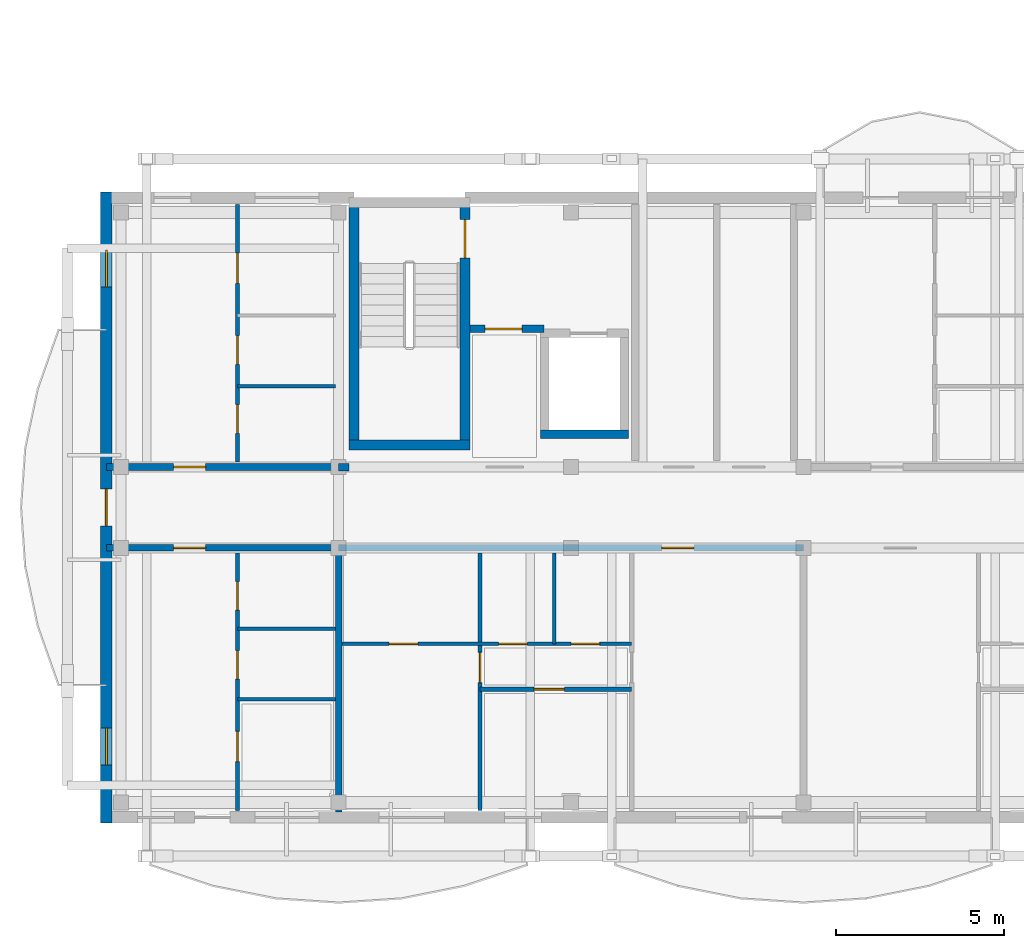
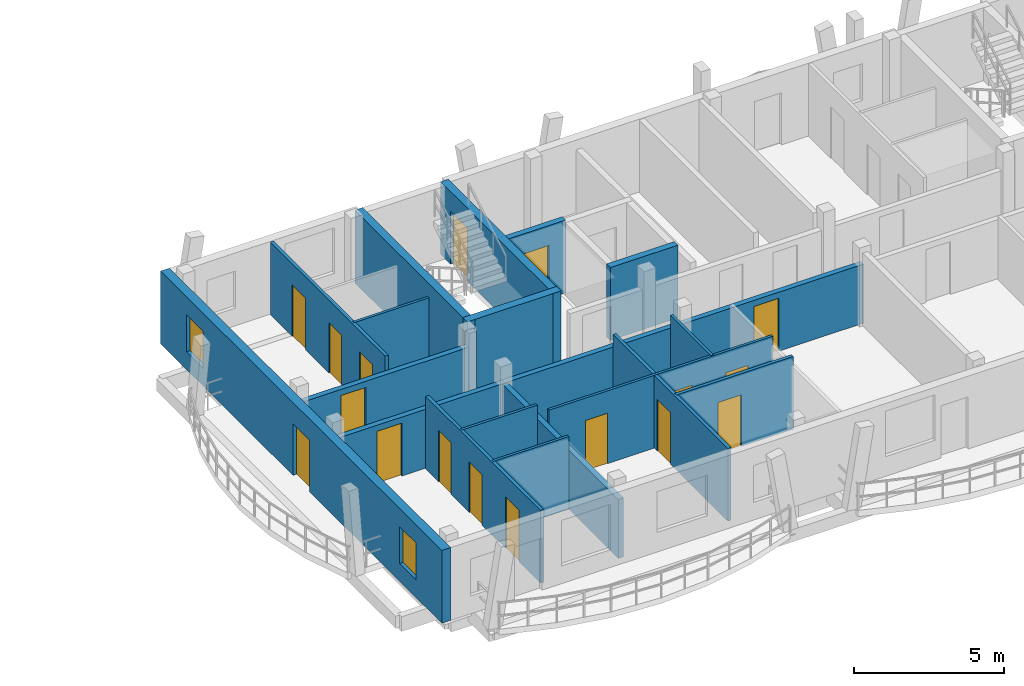
# One storey, part 10 of 29: 20 walls, 17 doors, 2 windows, 19 openings.
"""IFC4 building model written with IfcOpenShell, lengths in metres."""

from ifc_helpers import new_model, si_unit, direction, frame, frame_2d, origin, origin_with_axes, place, context, subcontext, project, spatial, rectangle, extrude, material, layer, layer_set, type_object, element, fill, save


model = new_model("IFC4")

# Units and contexts
model_context = context("Model", 3, precision=1e-05, world=origin(), true_north=direction((0.0, 1.0)))
body_context = subcontext(model_context, "Body", "Model", "MODEL_VIEW")
ifc_project = project(units=[si_unit("LENGTHUNIT", "METRE"), si_unit("AREAUNIT", "SQUARE_METRE"), si_unit("VOLUMEUNIT", "CUBIC_METRE"), si_unit("PLANEANGLEUNIT", "RADIAN"), si_unit("MASSUNIT", "GRAM", prefix="KILO")], contexts=[model_context])

# Site, building, storey
site_placement = place(None, origin())
site = spatial("IfcSite", under=ifc_project, at=site_placement, CompositionType="ELEMENT")
building_placement = place(site_placement, origin())
building = spatial("IfcBuilding", under=site, at=building_placement, Name="Zavelmont Quarter", CompositionType="ELEMENT")
storey_placement = place(building_placement, frame((0.0, 0.0, 33.60009765625)))
storey = spatial("IfcBuildingStorey", under=building, at=storey_placement, Name="L10", CompositionType="ELEMENT", Elevation=33.60009765625)

# Wall, openings, door, windows
ifc_material_1 = material(Name="Natural Belgian limestone", Category="masonry")
ifc_layer_1 = layer(ifc_material_1, 0.340087890625)
ifc_layer_set_1 = layer_set([ifc_layer_1], Name="Natural Belgian limestone")
wall_type_1 = type_object("IfcWallType", Name="EW03", PredefinedType="STANDARD", material=ifc_layer_set_1)
wall_1_placement = place(storey_placement, frame((0.0, -0.169921875, 0.0), z_axis=(0.0, 0.0, 1.0), x_axis=(0.0, 1.0, 0.0)))
wall_1 = element("IfcWall", 1, at=wall_1_placement, inside=storey, type_object=wall_type_1, Name="L10 exterior limestone wall EW03", PredefinedType="STANDARD", context=body_context, shape_type="SweptSolid", body=[
    extrude(rectangle(XDim=18.739990234375, YDim=0.340087890625, at=frame_2d((9.3701171875, 0.0))), origin(), (0.0, 0.0, 1.0), 2.9599609375),
])
opening_1_placement = place(wall_1_placement, frame((8.820068359375, 0.0, 0.0)))
opening_1 = element("IfcOpeningElement", 2, at=opening_1_placement, cuts=wall_1, Name="Opening DR04B", PredefinedType="OPENING", context=body_context, shape_type="SweptSolid", body=[
    extrude(rectangle(XDim=1.10009765625, YDim=2.10009765625, at=frame_2d((0.550048828125, 1.050048828125))), frame((0.0, 0.18212890625, 0.0), z_axis=(0.0, -1.0, 0.0), x_axis=(1.0, 0.0, 0.0)), (0.0, 0.0, 1.0), 0.364013671875),
])
opening_2_placement = place(wall_1_placement, frame((1.719970703125, 0.0, 0.719970703125)))
opening_2 = element("IfcOpeningElement", 3, at=opening_2_placement, cuts=wall_1, Name="Opening WN09", PredefinedType="OPENING", context=body_context, shape_type="SweptSolid", body=[
    extrude(rectangle(XDim=1.10009765625, YDim=1.5, at=frame_2d((0.550048828125, 0.75))), frame((0.0, 0.18212890625, 0.0), z_axis=(0.0, -1.0, 0.0), x_axis=(1.0, 0.0, 0.0)), (0.0, 0.0, 1.0), 0.364013671875),
])
opening_3_placement = place(wall_1_placement, frame((15.919921875, 0.0, 0.719970703125)))
opening_3 = element("IfcOpeningElement", 4, at=opening_3_placement, cuts=wall_1, Name="Opening WN09", PredefinedType="OPENING", context=body_context, shape_type="SweptSolid", body=[
    extrude(rectangle(XDim=1.10009765625, YDim=1.5, at=frame_2d((0.550048828125, 0.75))), frame((0.0, 0.18212890625, 0.0), z_axis=(0.0, -1.0, 0.0), x_axis=(1.0, 0.0, 0.0)), (0.0, 0.0, 1.0), 0.364013671875),
])
ifc_material_2 = material(Name="Thermally broken aluminium and double safety glass", Category="aluminium")
door_type_1 = type_object("IfcDoorType", Name="DR04B", OperationType="NOTDEFINED", PredefinedType="DOOR", material=ifc_material_2)
door_1_placement = place(opening_1_placement, frame((1.10009765625, 0.0, 0.0), z_axis=(0.0, 0.0, 1.0), x_axis=(-1.0, 0.0, 0.0)))
door_1 = element("IfcDoor", 5, at=door_1_placement, inside=storey, type_object=door_type_1, Name="Block A L10 terrace or vase balcony door", OperationType="SINGLE_SWING_RIGHT", OverallHeight=2.10009765625, OverallWidth=1.10009765625, PredefinedType="DOOR", context=body_context, shape_type="SweptSolid", body=[
    extrude(rectangle(XDim=1.10009765625, YDim=2.10009765625, at=frame_2d((0.550048828125, 1.050048828125))), frame((0.0, 0.02490234375, 0.0), z_axis=(0.0, -1.0, 0.0), x_axis=(1.0, 0.0, 0.0)), (0.0, 0.0, 1.0), 0.050048828125),
])
fill(opening_1, door_1)
ifc_material_3 = material(Name="Double low-E insulated glazing in thermally broken aluminium frame", Category="aluminium")
window_type = type_object("IfcWindowType", Name="WN09", PartitioningType="SINGLE_PANEL", PredefinedType="WINDOW", material=ifc_material_3)
window_1_placement = place(opening_2_placement, origin_with_axes())
window_1 = element("IfcWindow", 6, at=window_1_placement, inside=storey, type_object=window_type, Name="L10 window WN09", OverallHeight=1.5, OverallWidth=1.10009765625, PartitioningType="SINGLE_PANEL", PredefinedType="WINDOW", context=body_context, shape_type="SweptSolid", body=[
    extrude(rectangle(XDim=1.10009765625, YDim=1.5, at=frame_2d((0.550048828125, 0.75))), frame((0.0, 0.030029296875, 0.0), z_axis=(0.0, -1.0, 0.0), x_axis=(1.0, 0.0, 0.0)), (0.0, 0.0, 1.0), 0.06005859375),
])
fill(opening_2, window_1)
window_2_placement = place(opening_3_placement, origin_with_axes())
window_2 = element("IfcWindow", 7, at=window_2_placement, inside=storey, type_object=window_type, Name="L10 window WN09", OverallHeight=1.5, OverallWidth=1.10009765625, PartitioningType="SINGLE_PANEL", PredefinedType="WINDOW", context=body_context, shape_type="SweptSolid", body=[
    extrude(rectangle(XDim=1.10009765625, YDim=1.5, at=frame_2d((0.550048828125, 0.75))), frame((0.0, 0.030029296875, 0.0), z_axis=(0.0, -1.0, 0.0), x_axis=(1.0, 0.0, 0.0)), (0.0, 0.0, 1.0), 0.06005859375),
])
fill(opening_3, window_2)

# Wall
ifc_material_4 = material(Name="Calcium-silicate blockwork and acoustic plaster", Category="masonry")
ifc_layer_2 = layer(ifc_material_4, 0.199951171875)
ifc_layer_set_2 = layer_set([ifc_layer_2], Name="Calcium-silicate blockwork and acoustic plaster")
wall_type_2 = type_object("IfcWallType", Name="IW01", PredefinedType="PARTITIONING", material=ifc_layer_set_2)
wall_2_placement = place(storey_placement, frame((6.89990234375, 7.85009765625, 0.0), z_axis=(0.0, 0.0, 1.0), x_axis=(0.0, -1.0, 0.0)))
element("IfcWall", 8, at=wall_2_placement, inside=storey, type_object=wall_type_2, Name="L10 Inter-dwelling compartment wall IW01", PredefinedType="PARTITIONING", context=body_context, shape_type="SweptSolid", body=[
    extrude(rectangle(XDim=7.7001953125, YDim=0.199951171875, at=frame_2d((3.85009765625, 0.0))), origin(), (0.0, 0.0, 1.0), 2.39990234375),
])

# Wall, opening, door
wall_3_placement = place(storey_placement, frame((0.0, 8.0, 0.0), z_axis=(0.0, 0.0, 1.0), x_axis=(1.0, 0.0, 0.0)))
wall_3 = element("IfcWall", 9, at=wall_3_placement, inside=storey, type_object=wall_type_2, Name="L10 Corridor compartment wall IW01", PredefinedType="PARTITIONING", context=body_context, shape_type="SweptSolid", body=[
    extrude(rectangle(XDim=6.89990234375, YDim=0.199951171875, at=frame_2d((3.449951171875, 0.0))), origin(), (0.0, 0.0, 1.0), 2.39990234375),
])
opening_4_placement = place(wall_3_placement, frame((2.0, 0.0, 0.0)))
opening_4 = element("IfcOpeningElement", 10, at=opening_4_placement, cuts=wall_3, Name="Opening DR02", PredefinedType="OPENING", context=body_context, shape_type="SweptSolid", body=[
    extrude(rectangle(XDim=0.949951171875, YDim=2.14990234375, at=frame_2d((0.47509765625, 1.074951171875))), frame((0.0, 0.11181640625, 0.0), z_axis=(0.0, -1.0, 0.0), x_axis=(1.0, 0.0, 0.0)), (0.0, 0.0, 1.0), 0.223876953125),
])
ifc_material_5 = material(Name="Solid-core oak fire leaf in steel frame", Category="steel")
door_type_2 = type_object("IfcDoorType", Name="DR02", OperationType="NOTDEFINED", PredefinedType="DOOR", material=ifc_material_5)
door_2_placement = place(opening_4_placement, frame((0.949951171875, 0.0, 0.0), z_axis=(0.0, 0.0, 1.0), x_axis=(-1.0, 0.0, 0.0)))
door_2 = element("IfcDoor", 11, at=door_2_placement, inside=storey, type_object=door_type_2, Name="L10 door DR02", OperationType="SINGLE_SWING_RIGHT", OverallHeight=2.14990234375, OverallWidth=0.949951171875, PredefinedType="DOOR", context=body_context, shape_type="SweptSolid", body=[
    extrude(rectangle(XDim=0.949951171875, YDim=2.14990234375, at=frame_2d((0.47509765625, 1.074951171875))), frame((0.0, 0.02490234375, 0.0), z_axis=(0.0, -1.0, 0.0), x_axis=(1.0, 0.0, 0.0)), (0.0, 0.0, 1.0), 0.050048828125),
])
fill(opening_4, door_2)

wall_4_placement = place(storey_placement, frame((6.89990234375, 8.0, 0.0), z_axis=(0.0, 0.0, 1.0), x_axis=(1.0, 0.0, 0.0)))
wall_4 = element("IfcWall", 12, at=wall_4_placement, inside=storey, type_object=wall_type_2, Name="L10 Corridor compartment wall IW01", PredefinedType="PARTITIONING", context=body_context, shape_type="SweptSolid", body=[
    extrude(rectangle(XDim=13.800048828125, YDim=0.199951171875, at=frame_2d((6.89990234375, 0.0))), origin(), (0.0, 0.0, 1.0), 2.39990234375),
])
opening_5_placement = place(wall_4_placement, frame((9.60009765625, 0.0, 0.0)))
opening_5 = element("IfcOpeningElement", 13, at=opening_5_placement, cuts=wall_4, Name="Opening DR02", PredefinedType="OPENING", context=body_context, shape_type="SweptSolid", body=[
    extrude(rectangle(XDim=0.949951171875, YDim=2.14990234375, at=frame_2d((0.47509765625, 1.074951171875))), frame((0.0, 0.11181640625, 0.0), z_axis=(0.0, -1.0, 0.0), x_axis=(1.0, 0.0, 0.0)), (0.0, 0.0, 1.0), 0.223876953125),
])
door_3_placement = place(opening_5_placement, frame((0.949951171875, 0.0, 0.0), z_axis=(0.0, 0.0, 1.0), x_axis=(-1.0, 0.0, 0.0)))
door_3 = element("IfcDoor", 14, at=door_3_placement, inside=storey, type_object=door_type_2, Name="L10 door DR02", OperationType="SINGLE_SWING_LEFT", OverallHeight=2.14990234375, OverallWidth=0.949951171875, PredefinedType="DOOR", context=body_context, shape_type="SweptSolid", body=[
    extrude(rectangle(XDim=0.949951171875, YDim=2.14990234375, at=frame_2d((0.47509765625, 1.074951171875))), frame((0.0, 0.02490234375, 0.0), z_axis=(0.0, -1.0, 0.0), x_axis=(1.0, 0.0, 0.0)), (0.0, 0.0, 1.0), 0.050048828125),
])
fill(opening_5, door_3)

wall_5_placement = place(storey_placement, frame((0.0, 10.39990234375, 0.0), z_axis=(0.0, 0.0, 1.0), x_axis=(1.0, 0.0, 0.0)))
wall_5 = element("IfcWall", 15, at=wall_5_placement, inside=storey, type_object=wall_type_2, Name="L10 Corridor compartment wall IW01", PredefinedType="PARTITIONING", context=body_context, shape_type="SweptSolid", body=[
    extrude(rectangle(XDim=6.89990234375, YDim=0.199951171875, at=frame_2d((3.449951171875, 0.0))), origin(), (0.0, 0.0, 1.0), 2.39990234375),
])
opening_6_placement = place(wall_5_placement, frame((2.0, 0.0, 0.0)))
opening_6 = element("IfcOpeningElement", 16, at=opening_6_placement, cuts=wall_5, Name="Opening DR02", PredefinedType="OPENING", context=body_context, shape_type="SweptSolid", body=[
    extrude(rectangle(XDim=0.949951171875, YDim=2.14990234375, at=frame_2d((0.47509765625, 1.074951171875))), frame((0.0, 0.11181640625, 0.0), z_axis=(0.0, -1.0, 0.0), x_axis=(1.0, 0.0, 0.0)), (0.0, 0.0, 1.0), 0.223876953125),
])
door_4_placement = place(opening_6_placement, origin_with_axes())
door_4 = element("IfcDoor", 17, at=door_4_placement, inside=storey, type_object=door_type_2, Name="L10 door DR02", OperationType="SINGLE_SWING_RIGHT", OverallHeight=2.14990234375, OverallWidth=0.949951171875, PredefinedType="DOOR", context=body_context, shape_type="SweptSolid", body=[
    extrude(rectangle(XDim=0.949951171875, YDim=2.14990234375, at=frame_2d((0.47509765625, 1.074951171875))), frame((0.0, 0.02490234375, 0.0), z_axis=(0.0, -1.0, 0.0), x_axis=(1.0, 0.0, 0.0)), (0.0, 0.0, 1.0), 0.050048828125),
])
fill(opening_6, door_4)

ifc_material_6 = material(Name="Reinforced masonry fire compartment wall", Category="masonry")
ifc_layer_3 = layer(ifc_material_6, 0.22509765625)
ifc_layer_set_3 = layer_set([ifc_layer_3], Name="Reinforced masonry fire compartment wall")
wall_type_3 = type_object("IfcWallType", Name="IW02", PredefinedType="PARTITIONING", material=ifc_layer_set_3)
wall_6_placement = place(storey_placement, frame((10.800048828125, 14.5, 0.0), z_axis=(0.0, 0.0, 1.0), x_axis=(1.0, 0.0, 0.0)))
wall_6 = element("IfcWall", 18, at=wall_6_placement, inside=storey, type_object=wall_type_3, Name="L10 Firefighting lobby threshold wall IW02", PredefinedType="PARTITIONING", context=body_context, shape_type="SweptSolid", body=[
    extrude(rectangle(XDim=2.199951171875, YDim=0.22509765625, at=frame_2d((1.10009765625, 0.0))), origin(), (0.0, 0.0, 1.0), 2.9599609375),
])
opening_7_placement = place(wall_6_placement, frame((0.449951171875, 0.0, 0.0)))
opening_7 = element("IfcOpeningElement", 19, at=opening_7_placement, cuts=wall_6, Name="Opening DR10", PredefinedType="OPENING", context=body_context, shape_type="SweptSolid", body=[
    extrude(rectangle(XDim=1.10009765625, YDim=2.14990234375, at=frame_2d((0.550048828125, 1.074951171875))), frame((0.0, 0.12451171875, 0.0), z_axis=(0.0, -1.0, 0.0), x_axis=(1.0, 0.0, 0.0)), (0.0, 0.0, 1.0), 0.2490234375),
])
ifc_material_7 = material(Name="Painted steel lobby fire door", Category="steel")
door_type_3 = type_object("IfcDoorType", Name="DR10", OperationType="NOTDEFINED", PredefinedType="DOOR", material=ifc_material_7)
door_5_placement = place(opening_7_placement, origin_with_axes())
door_5 = element("IfcDoor", 20, at=door_5_placement, inside=storey, type_object=door_type_3, Name="Firefighting lobby fire door", OperationType="SINGLE_SWING_RIGHT", OverallHeight=2.14990234375, OverallWidth=1.10009765625, PredefinedType="DOOR", context=body_context, shape_type="SweptSolid", body=[
    extrude(rectangle(XDim=1.10009765625, YDim=2.14990234375, at=frame_2d((0.550048828125, 1.074951171875))), frame((0.0, 0.02490234375, 0.0), z_axis=(0.0, -1.0, 0.0), x_axis=(1.0, 0.0, 0.0)), (0.0, 0.0, 1.0), 0.050048828125),
])
fill(opening_7, door_5)

# Wall
wall_7_placement = place(storey_placement, frame((6.89990234375, 10.39990234375, 0.0), z_axis=(0.0, 0.0, 1.0), x_axis=(1.0, 0.0, 0.0)))
element("IfcWall", 21, at=wall_7_placement, inside=storey, type_object=wall_type_3, Name="L10 Core corridor wall IW02", PredefinedType="PARTITIONING", context=body_context, shape_type="SweptSolid", body=[
    extrude(rectangle(XDim=0.300048828125, YDim=0.22509765625, at=frame_2d((0.14990234375, 0.0))), origin(), (0.0, 0.0, 1.0), 2.9599609375),
])

# Wall, openings, doors
ifc_material_8 = material(Name="Double gypsum board on acoustic steel stud", Category="steel")
ifc_layer_4 = layer(ifc_material_8, 0.125)
ifc_layer_set_4 = layer_set([ifc_layer_4], Name="Double gypsum board on acoustic steel stud")
wall_type_4 = type_object("IfcWallType", Name="IW03", PredefinedType="PARTITIONING", material=ifc_layer_set_4)
wall_8_placement = place(storey_placement, frame((3.89990234375, 7.85009765625, 0.0), z_axis=(0.0, 0.0, 1.0), x_axis=(0.0, -1.0, 0.0)))
wall_8 = element("IfcWall", 22, at=wall_8_placement, inside=storey, type_object=wall_type_4, Name="L10 Partition IW03", PredefinedType="PARTITIONING", context=body_context, shape_type="SweptSolid", body=[
    extrude(rectangle(XDim=7.650146484375, YDim=0.125, at=frame_2d((3.8251953125, 0.0))), origin(), (0.0, 0.0, 1.0), 2.9599609375),
])
opening_8_placement = place(wall_8_placement, frame((0.85009765625, 0.0, 0.0)))
opening_8 = element("IfcOpeningElement", 23, at=opening_8_placement, cuts=wall_8, Name="Opening DR16", PredefinedType="OPENING", context=body_context, shape_type="SweptSolid", body=[
    extrude(rectangle(XDim=0.85009765625, YDim=2.10009765625, at=frame_2d((0.425048828125, 1.050048828125))), frame((0.0, 0.074462890625, 0.0), z_axis=(0.0, -1.0, 0.0), x_axis=(1.0, 0.0, 0.0)), (0.0, 0.0, 1.0), 0.14892578125),
])
opening_9_placement = place(wall_8_placement, frame((2.89990234375, 0.0, 0.0)))
opening_9 = element("IfcOpeningElement", 24, at=opening_9_placement, cuts=wall_8, Name="Opening DR06", PredefinedType="OPENING", context=body_context, shape_type="SweptSolid", body=[
    extrude(rectangle(XDim=0.85009765625, YDim=2.050048828125, at=frame_2d((0.425048828125, 1.02490234375))), frame((0.0, 0.074462890625, 0.0), z_axis=(0.0, -1.0, 0.0), x_axis=(1.0, 0.0, 0.0)), (0.0, 0.0, 1.0), 0.14892578125),
])
opening_10_placement = place(wall_8_placement, frame((5.300048828125, 0.0, 0.0)))
opening_10 = element("IfcOpeningElement", 25, at=opening_10_placement, cuts=wall_8, Name="Opening DR05", PredefinedType="OPENING", context=body_context, shape_type="SweptSolid", body=[
    extrude(rectangle(XDim=0.89990234375, YDim=2.10009765625, at=frame_2d((0.449951171875, 1.050048828125))), frame((0.0, 0.074462890625, 0.0), z_axis=(0.0, -1.0, 0.0), x_axis=(1.0, 0.0, 0.0)), (0.0, 0.0, 1.0), 0.14892578125),
])
ifc_material_9 = material(Name="Engineered oak flush interior door")
door_type_4 = type_object("IfcDoorType", Name="DR05", OperationType="NOTDEFINED", PredefinedType="DOOR", material=ifc_material_9)
door_6_placement = place(opening_10_placement, origin_with_axes())
door_6 = element("IfcDoor", 26, at=door_6_placement, inside=storey, type_object=door_type_4, Name="L10 door DR05", OperationType="SINGLE_SWING_RIGHT", OverallHeight=2.10009765625, OverallWidth=0.89990234375, PredefinedType="DOOR", context=body_context, shape_type="SweptSolid", body=[
    extrude(rectangle(XDim=0.89990234375, YDim=2.10009765625, at=frame_2d((0.449951171875, 1.050048828125))), frame((0.0, 0.02490234375, 0.0), z_axis=(0.0, -1.0, 0.0), x_axis=(1.0, 0.0, 0.0)), (0.0, 0.0, 1.0), 0.050048828125),
])
fill(opening_10, door_6)
ifc_material_10 = material(Name="Moisture-resistant painted wet-room door")
door_type_5 = type_object("IfcDoorType", Name="DR06", OperationType="NOTDEFINED", PredefinedType="DOOR", material=ifc_material_10)
door_7_placement = place(opening_9_placement, frame((0.85009765625, 0.0, 0.0), z_axis=(0.0, 0.0, 1.0), x_axis=(-1.0, 0.0, 0.0)))
door_7 = element("IfcDoor", 27, at=door_7_placement, inside=storey, type_object=door_type_5, Name="L10 door DR06", OperationType="SINGLE_SWING_LEFT", OverallHeight=2.050048828125, OverallWidth=0.85009765625, PredefinedType="DOOR", context=body_context, shape_type="SweptSolid", body=[
    extrude(rectangle(XDim=0.85009765625, YDim=2.050048828125, at=frame_2d((0.425048828125, 1.02490234375))), frame((0.0, 0.02490234375, 0.0), z_axis=(0.0, -1.0, 0.0), x_axis=(1.0, 0.0, 0.0)), (0.0, 0.0, 1.0), 0.050048828125),
])
fill(opening_9, door_7)
door_type_6 = type_object("IfcDoorType", Name="DR16", OperationType="NOTDEFINED", PredefinedType="DOOR", material=ifc_material_9)
door_8_placement = place(opening_8_placement, origin_with_axes())
door_8 = element("IfcDoor", 28, at=door_8_placement, inside=storey, type_object=door_type_6, Name="L10 door DR16", OperationType="SINGLE_SWING_RIGHT", OverallHeight=2.10009765625, OverallWidth=0.85009765625, PredefinedType="DOOR", context=body_context, shape_type="SweptSolid", body=[
    extrude(rectangle(XDim=0.85009765625, YDim=2.10009765625, at=frame_2d((0.425048828125, 1.050048828125))), frame((0.0, 0.02490234375, 0.0), z_axis=(0.0, -1.0, 0.0), x_axis=(1.0, 0.0, 0.0)), (0.0, 0.0, 1.0), 0.050048828125),
])
fill(opening_8, door_8)

# Wall, opening, door
wall_9_placement = place(storey_placement, frame((11.10009765625, 7.85009765625, 0.0), z_axis=(0.0, 0.0, 1.0), x_axis=(0.0, -1.0, 0.0)))
wall_9 = element("IfcWall", 29, at=wall_9_placement, inside=storey, type_object=wall_type_4, Name="L10 Partition IW03", PredefinedType="PARTITIONING", context=body_context, shape_type="SweptSolid", body=[
    extrude(rectangle(XDim=7.650146484375, YDim=0.125, at=frame_2d((3.8251953125, 0.0))), origin(), (0.0, 0.0, 1.0), 2.9599609375),
])
opening_11_placement = place(wall_9_placement, frame((2.949951171875, 0.0, 0.0)))
opening_11 = element("IfcOpeningElement", 30, at=opening_11_placement, cuts=wall_9, Name="Opening DR05", PredefinedType="OPENING", context=body_context, shape_type="SweptSolid", body=[
    extrude(rectangle(XDim=0.89990234375, YDim=2.10009765625, at=frame_2d((0.449951171875, 1.050048828125))), frame((0.0, 0.074462890625, 0.0), z_axis=(0.0, -1.0, 0.0), x_axis=(1.0, 0.0, 0.0)), (0.0, 0.0, 1.0), 0.14892578125),
])
door_9_placement = place(opening_11_placement, frame((0.89990234375, 0.0, 0.0), z_axis=(0.0, 0.0, 1.0), x_axis=(-1.0, 0.0, 0.0)))
door_9 = element("IfcDoor", 31, at=door_9_placement, inside=storey, type_object=door_type_4, Name="L10 door DR05", OperationType="SINGLE_SWING_RIGHT", OverallHeight=2.10009765625, OverallWidth=0.89990234375, PredefinedType="DOOR", context=body_context, shape_type="SweptSolid", body=[
    extrude(rectangle(XDim=0.89990234375, YDim=2.10009765625, at=frame_2d((0.449951171875, 1.050048828125))), frame((0.0, 0.02490234375, 0.0), z_axis=(0.0, -1.0, 0.0), x_axis=(1.0, 0.0, 0.0)), (0.0, 0.0, 1.0), 0.050048828125),
])
fill(opening_11, door_9)

wall_10_placement = place(storey_placement, frame((11.10009765625, 3.800048828125, 0.0), z_axis=(0.0, 0.0, 1.0), x_axis=(1.0, 0.0, 0.0)))
wall_10 = element("IfcWall", 32, at=wall_10_placement, inside=storey, type_object=wall_type_4, Name="L10 Partition IW03", PredefinedType="PARTITIONING", context=body_context, shape_type="SweptSolid", body=[
    extrude(rectangle(XDim=4.5, YDim=0.125, at=frame_2d((2.25, 0.0))), origin(), (0.0, 0.0, 1.0), 2.9599609375),
])
opening_12_placement = place(wall_10_placement, frame((1.60009765625, 0.0, 0.0)))
opening_12 = element("IfcOpeningElement", 33, at=opening_12_placement, cuts=wall_10, Name="Opening DR05", PredefinedType="OPENING", context=body_context, shape_type="SweptSolid", body=[
    extrude(rectangle(XDim=0.89990234375, YDim=2.10009765625, at=frame_2d((0.449951171875, 1.050048828125))), frame((0.0, 0.074462890625, 0.0), z_axis=(0.0, -1.0, 0.0), x_axis=(1.0, 0.0, 0.0)), (0.0, 0.0, 1.0), 0.14892578125),
])
door_10_placement = place(opening_12_placement, frame((0.89990234375, 0.0, 0.0), z_axis=(0.0, 0.0, 1.0), x_axis=(-1.0, 0.0, 0.0)))
door_10 = element("IfcDoor", 34, at=door_10_placement, inside=storey, type_object=door_type_4, Name="L10 door DR05", OperationType="SINGLE_SWING_RIGHT", OverallHeight=2.10009765625, OverallWidth=0.89990234375, PredefinedType="DOOR", context=body_context, shape_type="SweptSolid", body=[
    extrude(rectangle(XDim=0.89990234375, YDim=2.10009765625, at=frame_2d((0.449951171875, 1.050048828125))), frame((0.0, 0.02490234375, 0.0), z_axis=(0.0, -1.0, 0.0), x_axis=(1.0, 0.0, 0.0)), (0.0, 0.0, 1.0), 0.050048828125),
])
fill(opening_12, door_10)

# Wall, openings, doors
wall_11_placement = place(storey_placement, frame((3.89990234375, 10.550048828125, 0.0), z_axis=(0.0, 0.0, 1.0), x_axis=(0.0, 1.0, 0.0)))
wall_11 = element("IfcWall", 35, at=wall_11_placement, inside=storey, type_object=wall_type_4, Name="L10 Partition IW03", PredefinedType="PARTITIONING", context=body_context, shape_type="SweptSolid", body=[
    extrude(rectangle(XDim=7.64990234375, YDim=0.125, at=frame_2d((3.824951171875, 0.0))), origin(), (0.0, 0.0, 1.0), 2.9599609375),
])
opening_13_placement = place(wall_11_placement, frame((0.85009765625, 0.0, 0.0)))
opening_13 = element("IfcOpeningElement", 36, at=opening_13_placement, cuts=wall_11, Name="Opening DR16", PredefinedType="OPENING", context=body_context, shape_type="SweptSolid", body=[
    extrude(rectangle(XDim=0.85009765625, YDim=2.10009765625, at=frame_2d((0.425048828125, 1.050048828125))), frame((0.0, 0.074462890625, 0.0), z_axis=(0.0, -1.0, 0.0), x_axis=(1.0, 0.0, 0.0)), (0.0, 0.0, 1.0), 0.14892578125),
])
opening_14_placement = place(wall_11_placement, frame((2.89990234375, 0.0, 0.0)))
opening_14 = element("IfcOpeningElement", 37, at=opening_14_placement, cuts=wall_11, Name="Opening DR06", PredefinedType="OPENING", context=body_context, shape_type="SweptSolid", body=[
    extrude(rectangle(XDim=0.85009765625, YDim=2.050048828125, at=frame_2d((0.425048828125, 1.02490234375))), frame((0.0, 0.074462890625, 0.0), z_axis=(0.0, -1.0, 0.0), x_axis=(1.0, 0.0, 0.0)), (0.0, 0.0, 1.0), 0.14892578125),
])
opening_15_placement = place(wall_11_placement, frame((5.300048828125, 0.0, 0.0)))
opening_15 = element("IfcOpeningElement", 38, at=opening_15_placement, cuts=wall_11, Name="Opening DR05", PredefinedType="OPENING", context=body_context, shape_type="SweptSolid", body=[
    extrude(rectangle(XDim=0.89990234375, YDim=2.10009765625, at=frame_2d((0.449951171875, 1.050048828125))), frame((0.0, 0.074462890625, 0.0), z_axis=(0.0, -1.0, 0.0), x_axis=(1.0, 0.0, 0.0)), (0.0, 0.0, 1.0), 0.14892578125),
])
door_11_placement = place(opening_15_placement, origin_with_axes())
door_11 = element("IfcDoor", 39, at=door_11_placement, inside=storey, type_object=door_type_4, Name="L10 door DR05", OperationType="SINGLE_SWING_RIGHT", OverallHeight=2.10009765625, OverallWidth=0.89990234375, PredefinedType="DOOR", context=body_context, shape_type="SweptSolid", body=[
    extrude(rectangle(XDim=0.89990234375, YDim=2.10009765625, at=frame_2d((0.449951171875, 1.050048828125))), frame((0.0, 0.02490234375, 0.0), z_axis=(0.0, -1.0, 0.0), x_axis=(1.0, 0.0, 0.0)), (0.0, 0.0, 1.0), 0.050048828125),
])
fill(opening_15, door_11)
door_12_placement = place(opening_14_placement, frame((0.85009765625, 0.0, 0.0), z_axis=(0.0, 0.0, 1.0), x_axis=(-1.0, 0.0, 0.0)))
door_12 = element("IfcDoor", 40, at=door_12_placement, inside=storey, type_object=door_type_5, Name="L10 door DR06", OperationType="SINGLE_SWING_LEFT", OverallHeight=2.050048828125, OverallWidth=0.85009765625, PredefinedType="DOOR", context=body_context, shape_type="SweptSolid", body=[
    extrude(rectangle(XDim=0.85009765625, YDim=2.050048828125, at=frame_2d((0.425048828125, 1.02490234375))), frame((0.0, 0.02490234375, 0.0), z_axis=(0.0, -1.0, 0.0), x_axis=(1.0, 0.0, 0.0)), (0.0, 0.0, 1.0), 0.050048828125),
])
fill(opening_14, door_12)
door_13_placement = place(opening_13_placement, origin_with_axes())
door_13 = element("IfcDoor", 41, at=door_13_placement, inside=storey, type_object=door_type_6, Name="L10 door DR16", OperationType="SINGLE_SWING_RIGHT", OverallHeight=2.10009765625, OverallWidth=0.85009765625, PredefinedType="DOOR", context=body_context, shape_type="SweptSolid", body=[
    extrude(rectangle(XDim=0.85009765625, YDim=2.10009765625, at=frame_2d((0.425048828125, 1.050048828125))), frame((0.0, 0.02490234375, 0.0), z_axis=(0.0, -1.0, 0.0), x_axis=(1.0, 0.0, 0.0)), (0.0, 0.0, 1.0), 0.050048828125),
])
fill(opening_13, door_13)

# Walls
ifc_material_11 = material(Name="Moisture-resistant gypsum board on steel stud", Category="steel")
ifc_layer_5 = layer(ifc_material_11, 0.10009765625)
ifc_layer_set_5 = layer_set([ifc_layer_5], Name="Moisture-resistant gypsum board on steel stud")
wall_type_5 = type_object("IfcWallType", Name="IW04", PredefinedType="PARTITIONING", material=ifc_layer_set_5)
for number, where, z_axis, x_axis, name in (
    (42, (3.89990234375, 5.60009765625, 0.0), (0.0, 0.0, 1.0), (1.0, 0.0, 0.0), "L10 Partition IW04"),
    (43, (3.89990234375, 3.5, 0.0), (0.0, 0.0, 1.0), (1.0, 0.0, 0.0), "L10 Partition IW04"),
):
    element("IfcWall", number, at=place(storey_placement, frame(where, z_axis=z_axis, x_axis=x_axis)), inside=storey, type_object=wall_type_5, Name=name, PredefinedType="PARTITIONING", context=body_context, shape_type="SweptSolid", body=[
        extrude(rectangle(XDim=2.900146484375, YDim=0.10009765625, at=frame_2d((1.4501953125, 0.0))), origin(), (0.0, 0.0, 1.0), 2.9599609375),
    ])
wall_12_placement = place(storey_placement, frame((13.300048828125, 7.85009765625, 0.0), z_axis=(0.0, 0.0, 1.0), x_axis=(0.0, -1.0, 0.0)))
element("IfcWall", 44, at=wall_12_placement, inside=storey, type_object=wall_type_5, Name="L10 Partition IW04", PredefinedType="PARTITIONING", context=body_context, shape_type="SweptSolid", body=[
    extrude(rectangle(XDim=2.7001953125, YDim=0.10009765625, at=frame_2d((1.35009765625, 0.0))), origin(), (0.0, 0.0, 1.0), 2.9599609375),
])

# Wall, openings, doors
wall_13_placement = place(storey_placement, frame((7.0, 5.14990234375, 0.0), z_axis=(0.0, 0.0, 1.0), x_axis=(1.0, 0.0, 0.0)))
wall_13 = element("IfcWall", 45, at=wall_13_placement, inside=storey, type_object=wall_type_5, Name="L10 Partition IW04", PredefinedType="PARTITIONING", context=body_context, shape_type="SweptSolid", body=[
    extrude(rectangle(XDim=8.60009765625, YDim=0.10009765625, at=frame_2d((4.300048828125, 0.0))), origin(), (0.0, 0.0, 1.0), 2.9599609375),
])
opening_16_placement = place(wall_13_placement, frame((1.39990234375, 0.0, 0.0)))
opening_16 = element("IfcOpeningElement", 46, at=opening_16_placement, cuts=wall_13, Name="Opening DR06", PredefinedType="OPENING", context=body_context, shape_type="SweptSolid", body=[
    extrude(rectangle(XDim=0.85009765625, YDim=2.050048828125, at=frame_2d((0.425048828125, 1.02490234375))), frame((0.0, 0.06201171875, 0.0), z_axis=(0.0, -1.0, 0.0), x_axis=(1.0, 0.0, 0.0)), (0.0, 0.0, 1.0), 0.1240234375),
])
opening_17_placement = place(wall_13_placement, frame((4.64990234375, 0.0, 0.0)))
opening_17 = element("IfcOpeningElement", 47, at=opening_17_placement, cuts=wall_13, Name="Opening DR06", PredefinedType="OPENING", context=body_context, shape_type="SweptSolid", body=[
    extrude(rectangle(XDim=0.85009765625, YDim=2.050048828125, at=frame_2d((0.425048828125, 1.02490234375))), frame((0.0, 0.06201171875, 0.0), z_axis=(0.0, -1.0, 0.0), x_axis=(1.0, 0.0, 0.0)), (0.0, 0.0, 1.0), 0.1240234375),
])
opening_18_placement = place(wall_13_placement, frame((6.800048828125, 0.0, 0.0)))
opening_18 = element("IfcOpeningElement", 48, at=opening_18_placement, cuts=wall_13, Name="Opening DR16", PredefinedType="OPENING", context=body_context, shape_type="SweptSolid", body=[
    extrude(rectangle(XDim=0.85009765625, YDim=2.10009765625, at=frame_2d((0.425048828125, 1.050048828125))), frame((0.0, 0.06201171875, 0.0), z_axis=(0.0, -1.0, 0.0), x_axis=(1.0, 0.0, 0.0)), (0.0, 0.0, 1.0), 0.1240234375),
])
door_14_placement = place(opening_16_placement, origin_with_axes())
door_14 = element("IfcDoor", 49, at=door_14_placement, inside=storey, type_object=door_type_5, Name="L10 door DR06", OperationType="SINGLE_SWING_LEFT", OverallHeight=2.050048828125, OverallWidth=0.85009765625, PredefinedType="DOOR", context=body_context, shape_type="SweptSolid", body=[
    extrude(rectangle(XDim=0.85009765625, YDim=2.050048828125, at=frame_2d((0.425048828125, 1.02490234375))), frame((0.0, 0.02490234375, 0.0), z_axis=(0.0, -1.0, 0.0), x_axis=(1.0, 0.0, 0.0)), (0.0, 0.0, 1.0), 0.050048828125),
])
fill(opening_16, door_14)
door_15_placement = place(opening_17_placement, frame((0.85009765625, 0.0, 0.0), z_axis=(0.0, 0.0, 1.0), x_axis=(-1.0, 0.0, 0.0)))
door_15 = element("IfcDoor", 50, at=door_15_placement, inside=storey, type_object=door_type_5, Name="L10 door DR06", OperationType="SINGLE_SWING_RIGHT", OverallHeight=2.050048828125, OverallWidth=0.85009765625, PredefinedType="DOOR", context=body_context, shape_type="SweptSolid", body=[
    extrude(rectangle(XDim=0.85009765625, YDim=2.050048828125, at=frame_2d((0.425048828125, 1.02490234375))), frame((0.0, 0.02490234375, 0.0), z_axis=(0.0, -1.0, 0.0), x_axis=(1.0, 0.0, 0.0)), (0.0, 0.0, 1.0), 0.050048828125),
])
fill(opening_17, door_15)
door_16_placement = place(opening_18_placement, origin_with_axes())
door_16 = element("IfcDoor", 51, at=door_16_placement, inside=storey, type_object=door_type_6, Name="L10 door DR16", OperationType="SINGLE_SWING_LEFT", OverallHeight=2.10009765625, OverallWidth=0.85009765625, PredefinedType="DOOR", context=body_context, shape_type="SweptSolid", body=[
    extrude(rectangle(XDim=0.85009765625, YDim=2.10009765625, at=frame_2d((0.425048828125, 1.050048828125))), frame((0.0, 0.02490234375, 0.0), z_axis=(0.0, -1.0, 0.0), x_axis=(1.0, 0.0, 0.0)), (0.0, 0.0, 1.0), 0.050048828125),
])
fill(opening_18, door_16)

# Walls
wall_14_placement = place(storey_placement, frame((3.89990234375, 12.800048828125, 0.0), z_axis=(0.0, 0.0, 1.0), x_axis=(1.0, 0.0, 0.0)))
element("IfcWall", 52, at=wall_14_placement, inside=storey, type_object=wall_type_5, Name="L10 Partition IW04", PredefinedType="PARTITIONING", context=body_context, shape_type="SweptSolid", body=[
    extrude(rectangle(XDim=2.900146484375, YDim=0.10009765625, at=frame_2d((1.4501953125, 0.0))), origin(), (0.0, 0.0, 1.0), 2.9599609375),
])
ifc_material_12 = material(Name="Concrete C40/50", Category="concrete")
ifc_layer_6 = layer(ifc_material_12, 0.300048828125)
ifc_layer_set_6 = layer_set([ifc_layer_6], Name="Concrete C40/50")
wall_type_6 = type_object("IfcWallType", Name="SW01", PredefinedType="SHEAR", material=ifc_layer_set_6)
wall_15_placement = place(storey_placement, frame((7.199951171875, 11.050048828125, 0.0), z_axis=(0.0, 0.0, 1.0), x_axis=(1.0, 0.0, 0.0)))
element("IfcWall", 53, at=wall_15_placement, inside=storey, type_object=wall_type_6, Name="L10 ST01 corridor shear wall SW01", PredefinedType="SHEAR", context=body_context, shape_type="SweptSolid", body=[
    extrude(rectangle(XDim=3.60009765625, YDim=0.300048828125, at=frame_2d((1.800048828125, 0.0))), origin(), (0.0, 0.0, 1.0), 2.9599609375),
])
wall_16_placement = place(storey_placement, frame((7.35009765625, 10.89990234375, 0.0), z_axis=(0.0, 0.0, 1.0), x_axis=(0.0, 1.0, 0.0)))
element("IfcWall", 54, at=wall_16_placement, inside=storey, type_object=wall_type_6, Name="L10 ST01 west shear wall SW01", PredefinedType="SHEAR", context=body_context, shape_type="SweptSolid", body=[
    extrude(rectangle(XDim=7.5, YDim=0.300048828125, at=frame_2d((3.75, 0.0))), origin(), (0.0, 0.0, 1.0), 2.9599609375),
])

# Wall, opening, door
wall_17_placement = place(storey_placement, frame((10.64990234375, 10.89990234375, 0.0), z_axis=(0.0, 0.0, 1.0), x_axis=(0.0, 1.0, 0.0)))
wall_17 = element("IfcWall", 55, at=wall_17_placement, inside=storey, type_object=wall_type_6, Name="L10 ST01 lobby shear wall SW01", PredefinedType="SHEAR", context=body_context, shape_type="SweptSolid", body=[
    extrude(rectangle(XDim=7.5, YDim=0.300048828125, at=frame_2d((3.75, 0.0))), origin(), (0.0, 0.0, 1.0), 2.9599609375),
])
opening_19_placement = place(wall_17_placement, frame((5.699951171875, 0.0, 0.0)))
opening_19 = element("IfcOpeningElement", 56, at=opening_19_placement, cuts=wall_17, Name="Opening DR09", PredefinedType="OPENING", context=body_context, shape_type="SweptSolid", body=[
    extrude(rectangle(XDim=1.14990234375, YDim=2.14990234375, at=frame_2d((0.574951171875, 1.074951171875))), frame((0.0, 0.162109375, 0.0), z_axis=(0.0, -1.0, 0.0), x_axis=(1.0, 0.0, 0.0)), (0.0, 0.0, 1.0), 0.323974609375),
])
ifc_material_13 = material(Name="Painted steel stair-core fire door", Category="steel")
door_type_7 = type_object("IfcDoorType", Name="DR09", OperationType="NOTDEFINED", PredefinedType="DOOR", material=ifc_material_13)
door_17_placement = place(opening_19_placement, origin_with_axes())
door_17 = element("IfcDoor", 57, at=door_17_placement, inside=storey, type_object=door_type_7, Name="ST01 protected stair door", OperationType="SINGLE_SWING_LEFT", OverallHeight=2.14990234375, OverallWidth=1.14990234375, PredefinedType="DOOR", context=body_context, shape_type="SweptSolid", body=[
    extrude(rectangle(XDim=1.14990234375, YDim=2.14990234375, at=frame_2d((0.574951171875, 1.074951171875))), frame((0.0, 0.02490234375, 0.0), z_axis=(0.0, -1.0, 0.0), x_axis=(1.0, 0.0, 0.0)), (0.0, 0.0, 1.0), 0.050048828125),
])
fill(opening_19, door_17)

# Wall
ifc_layer_7 = layer(ifc_material_12, 0.25)
ifc_layer_set_7 = layer_set([ifc_layer_7], Name="Concrete C40/50")
wall_type_7 = type_object("IfcWallType", Name="SW02", PredefinedType="SHEAR", material=ifc_layer_set_7)
wall_18_placement = place(storey_placement, frame((12.89990234375, 11.375, 0.0), z_axis=(0.0, 0.0, 1.0), x_axis=(1.0, 0.0, 0.0)))
element("IfcWall", 58, at=wall_18_placement, inside=storey, type_object=wall_type_7, Name="L10 Lift FL01 back shaft wall SW02", PredefinedType="SHEAR", context=body_context, shape_type="SweptSolid", body=[
    extrude(rectangle(XDim=2.60009765625, YDim=0.25, at=frame_2d((1.300048828125, 0.0))), origin(), (0.0, 0.0, 1.0), 2.9599609375),
])

save(model, "model.ifc")
